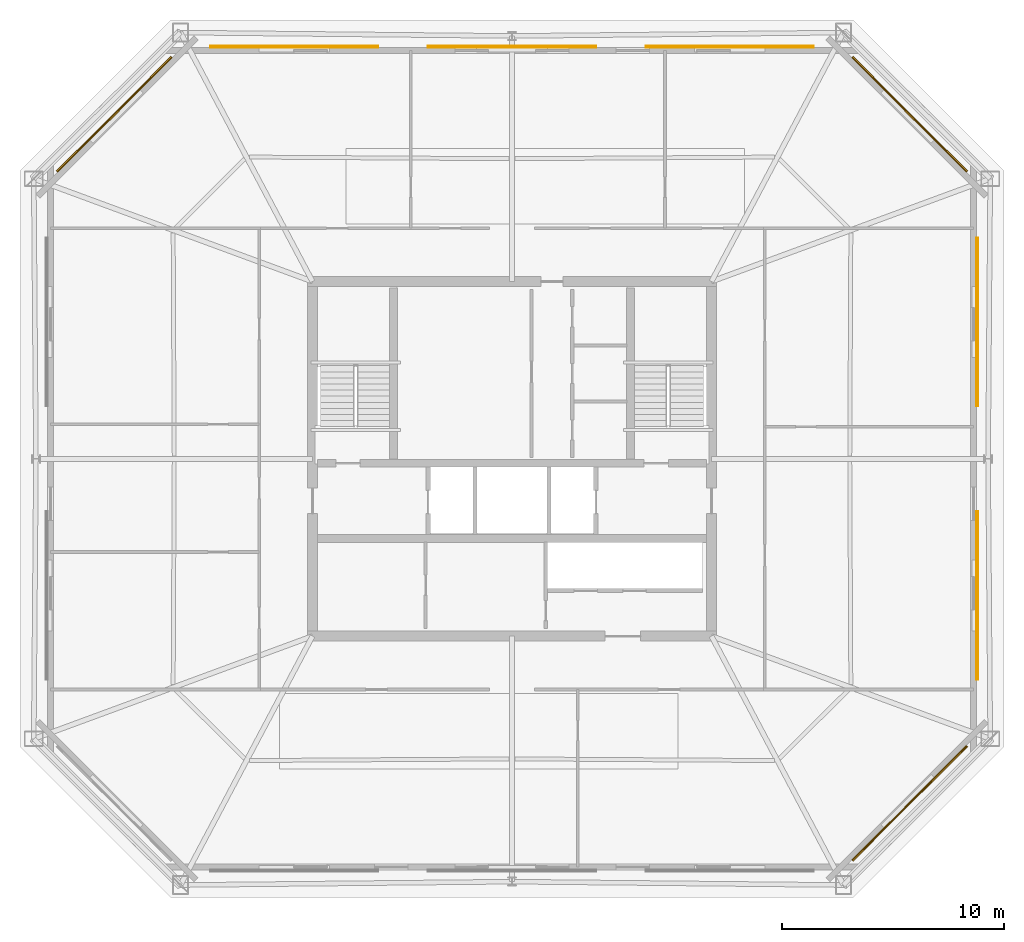
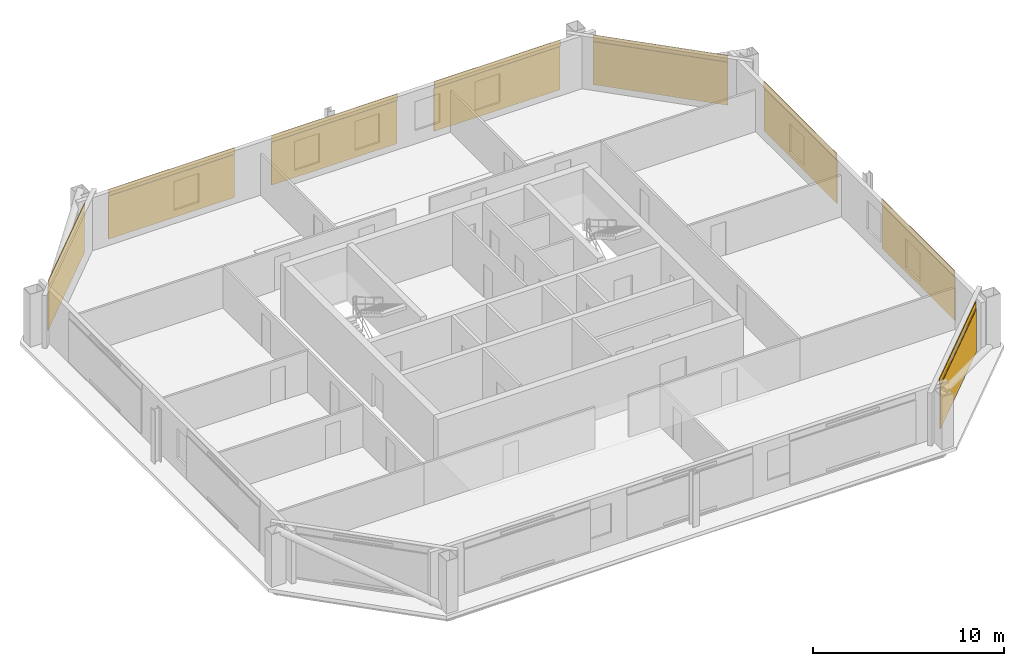
# One storey, part 6 of 6: 8 coverings, 8 shading devices.
"""IFC4 building model written with IfcOpenShell, lengths in metres."""

from ifc_helpers import new_model, si_unit, direction, frame, origin, origin_2d, place, context, subcontext, project, spatial, rectangle, extrude, material, layer, layer_set, type_object, element, save


model = new_model("IFC4")

# Units and contexts
model_context = context("Model", 3, precision=1e-05, world=origin(), true_north=direction((0.0, 1.0)))
body_context = subcontext(model_context, "Body", "Model", "MODEL_VIEW")
ifc_project = project(units=[si_unit("LENGTHUNIT", "METRE"), si_unit("AREAUNIT", "SQUARE_METRE"), si_unit("VOLUMEUNIT", "CUBIC_METRE"), si_unit("PLANEANGLEUNIT", "RADIAN"), si_unit("MASSUNIT", "GRAM", prefix="KILO")], contexts=[model_context])

# Site, building, storey
site_placement = place(None, origin())
site = spatial("IfcSite", under=ifc_project, at=site_placement, CompositionType="ELEMENT")
building_placement = place(site_placement, origin())
building = spatial("IfcBuilding", under=site, at=building_placement, Name="Caelvoria Tower", CompositionType="ELEMENT")
storey_placement = place(building_placement, frame((0.0, 0.0, 202.199951171875)))
storey = spatial("IfcBuildingStorey", under=building, at=storey_placement, Name="L53", CompositionType="ELEMENT", Elevation=202.199951171875)

# Coverings
ifc_material_1 = material(Name="Perforated Architectural Bronze Cladding Screen", Category="bronze")
ifc_layer_1 = layer(ifc_material_1, 0.0400390625, Name="Perforated Architectural Bronze Cladding Screen")
ifc_layer_set_1 = layer_set([ifc_layer_1], Name="Perforated Bronze Louvre Cladding Band 40 - Perforated Architectural Bronze Cladding Screen")
covering_type = type_object("IfcCoveringType", Name="Perforated Bronze Louvre Cladding Band 40", PredefinedType="CLADDING", material=ifc_layer_set_1)
covering_1_placement = place(storey_placement, frame((63.926513671875, 16.4736328125, 2.955078125), z_axis=(0.0, 0.0, 1.0), x_axis=(0.707106781187, 0.707106781187, 0.0)))
element("IfcCovering", 1, at=covering_1_placement, inside=storey, type_object=covering_type, Name="Perforated Bronze Screen Band L53-E1-00", PredefinedType="CLADDING", context=body_context, shape_type="SweptSolid", body=[
    extrude(rectangle(XDim=7.301025390625, YDim=0.0400390625, at=origin_2d()), origin(), (0.0, 0.0, 1.0), 0.39990234375),
])
for number, where, z_axis, x_axis, name in (
    (2, (66.964599609375, 25.830078125, 2.955078125), (0.0, 0.0, 1.0), (0.0, 1.0, 0.0), "Perforated Bronze Screen Band L53-E2-00"),
    (3, (66.964599609375, 38.169921875, 2.955078125), (0.0, 0.0, 1.0), (0.0, 1.0, 0.0), "Perforated Bronze Screen Band L53-E2-01"),
):
    element("IfcCovering", number, at=place(storey_placement, frame(where, z_axis=z_axis, x_axis=x_axis)), inside=storey, type_object=covering_type, Name=name, PredefinedType="CLADDING", context=body_context, shape_type="SweptSolid", body=[
        extrude(rectangle(XDim=7.60009765625, YDim=0.0400390625, at=origin_2d()), origin(), (0.0, 0.0, 1.0), 0.39990234375),
    ])
covering_2_placement = place(storey_placement, frame((63.926513671875, 47.5263671875, 2.955078125), z_axis=(0.0, 0.0, 1.0), x_axis=(-0.707106781187, 0.707106781187, 0.0)))
element("IfcCovering", 4, at=covering_2_placement, inside=storey, type_object=covering_type, Name="Perforated Bronze Screen Band L53-E3-00", PredefinedType="CLADDING", context=body_context, shape_type="SweptSolid", body=[
    extrude(rectangle(XDim=7.301025390625, YDim=0.0400390625, at=origin_2d()), origin(), (0.0, 0.0, 1.0), 0.39990234375),
])
for number, where, z_axis, x_axis, name in (
    (5, (55.82666015625, 50.564453125, 2.955078125), (0.0, 0.0, 1.0), (-1.0, 0.0, 0.0), "Perforated Bronze Screen Band L53-E4-00"),
    (6, (46.0, 50.564453125, 2.955078125), (0.0, 0.0, 1.0), (-1.0, 0.0, 0.0), "Perforated Bronze Screen Band L53-E4-01"),
    (7, (36.17333984375, 50.564453125, 2.955078125), (0.0, 0.0, 1.0), (-1.0, 0.0, 0.0), "Perforated Bronze Screen Band L53-E4-02"),
):
    element("IfcCovering", number, at=place(storey_placement, frame(where, z_axis=z_axis, x_axis=x_axis)), inside=storey, type_object=covering_type, Name=name, PredefinedType="CLADDING", context=body_context, shape_type="SweptSolid", body=[
        extrude(rectangle(XDim=7.60009765625, YDim=0.0400390625, at=origin_2d()), origin(), (0.0, 0.0, 1.0), 0.39990234375),
    ])
covering_3_placement = place(storey_placement, frame((28.073486328125, 47.5263671875, 2.955078125), z_axis=(0.0, 0.0, 1.0), x_axis=(-0.707106781187, -0.707106781187, 0.0)))
element("IfcCovering", 8, at=covering_3_placement, inside=storey, type_object=covering_type, Name="Perforated Bronze Screen Band L53-E5-00", PredefinedType="CLADDING", context=body_context, shape_type="SweptSolid", body=[
    extrude(rectangle(XDim=7.301025390625, YDim=0.0400390625, at=origin_2d()), origin(), (0.0, 0.0, 1.0), 0.39990234375),
])

# Shading devices
ifc_material_2 = material(Name="Perforated Architectural Bronze Alloy Panel", Category="bronze")
ifc_layer_2 = layer(ifc_material_2, 0.044921875, Name="Perforated Architectural Bronze Alloy Panel")
ifc_layer_set_2 = layer_set([ifc_layer_2], Name="Perforated Bronze Solar Screen Panel SCREEN - Perforated Architectural Bronze Alloy Panel")
shading_device_type = type_object("IfcShadingDeviceType", Name="Perforated Bronze Solar Screen Panel SCREEN", PredefinedType="USERDEFINED", material=ifc_layer_set_2)
shading_device_1_placement = place(storey_placement, frame((63.956787109375, 16.443115234375, 0.16015625), z_axis=(0.0, 0.0, 1.0), x_axis=(0.707106781187, 0.707106781187, 0.0)))
element("IfcShadingDevice", 9, at=shading_device_1_placement, inside=storey, type_object=shading_device_type, Name="Perforated Bronze Solar Screen L53-E1-00", ObjectType="SCREEN", PredefinedType="USERDEFINED", context=body_context, shape_type="SweptSolid", body=[
    extrude(rectangle(XDim=7.301025390625, YDim=0.044921875, at=origin_2d()), origin(), (0.0, 0.0, 1.0), 2.75),
])
for number, where, z_axis, x_axis, name in (
    (10, (67.007568359375, 25.830078125, 0.16015625), (0.0, 0.0, 1.0), (0.0, 1.0, 0.0), "Perforated Bronze Solar Screen L53-E2-00"),
    (11, (67.007568359375, 38.169921875, 0.16015625), (0.0, 0.0, 1.0), (0.0, 1.0, 0.0), "Perforated Bronze Solar Screen L53-E2-01"),
):
    element("IfcShadingDevice", number, at=place(storey_placement, frame(where, z_axis=z_axis, x_axis=x_axis)), inside=storey, type_object=shading_device_type, Name=name, ObjectType="SCREEN", PredefinedType="USERDEFINED", context=body_context, shape_type="SweptSolid", body=[
        extrude(rectangle(XDim=7.60009765625, YDim=0.044921875, at=origin_2d()), origin(), (0.0, 0.0, 1.0), 2.75),
    ])
shading_device_2_placement = place(storey_placement, frame((63.956787109375, 47.556884765625, 0.16015625), z_axis=(0.0, 0.0, 1.0), x_axis=(-0.707106781187, 0.707106781187, 0.0)))
element("IfcShadingDevice", 12, at=shading_device_2_placement, inside=storey, type_object=shading_device_type, Name="Perforated Bronze Solar Screen L53-E3-00", ObjectType="SCREEN", PredefinedType="USERDEFINED", context=body_context, shape_type="SweptSolid", body=[
    extrude(rectangle(XDim=7.301025390625, YDim=0.044921875, at=origin_2d()), origin(), (0.0, 0.0, 1.0), 2.75),
])
for number, where, z_axis, x_axis, name in (
    (13, (55.82666015625, 50.607421875, 0.16015625), (0.0, 0.0, 1.0), (-1.0, 0.0, 0.0), "Perforated Bronze Solar Screen L53-E4-00"),
    (14, (46.0, 50.607421875, 0.16015625), (0.0, 0.0, 1.0), (-1.0, 0.0, 0.0), "Perforated Bronze Solar Screen L53-E4-01"),
    (15, (36.17333984375, 50.607421875, 0.16015625), (0.0, 0.0, 1.0), (-1.0, 0.0, 0.0), "Perforated Bronze Solar Screen L53-E4-02"),
):
    element("IfcShadingDevice", number, at=place(storey_placement, frame(where, z_axis=z_axis, x_axis=x_axis)), inside=storey, type_object=shading_device_type, Name=name, ObjectType="SCREEN", PredefinedType="USERDEFINED", context=body_context, shape_type="SweptSolid", body=[
        extrude(rectangle(XDim=7.60009765625, YDim=0.044921875, at=origin_2d()), origin(), (0.0, 0.0, 1.0), 2.75),
    ])
shading_device_3_placement = place(storey_placement, frame((28.043212890625, 47.556884765625, 0.16015625), z_axis=(0.0, 0.0, 1.0), x_axis=(-0.707106781187, -0.707106781187, 0.0)))
element("IfcShadingDevice", 16, at=shading_device_3_placement, inside=storey, type_object=shading_device_type, Name="Perforated Bronze Solar Screen L53-E5-00", ObjectType="SCREEN", PredefinedType="USERDEFINED", context=body_context, shape_type="SweptSolid", body=[
    extrude(rectangle(XDim=7.301025390625, YDim=0.044921875, at=origin_2d()), origin(), (0.0, 0.0, 1.0), 2.75),
])

save(model, "model.ifc")
